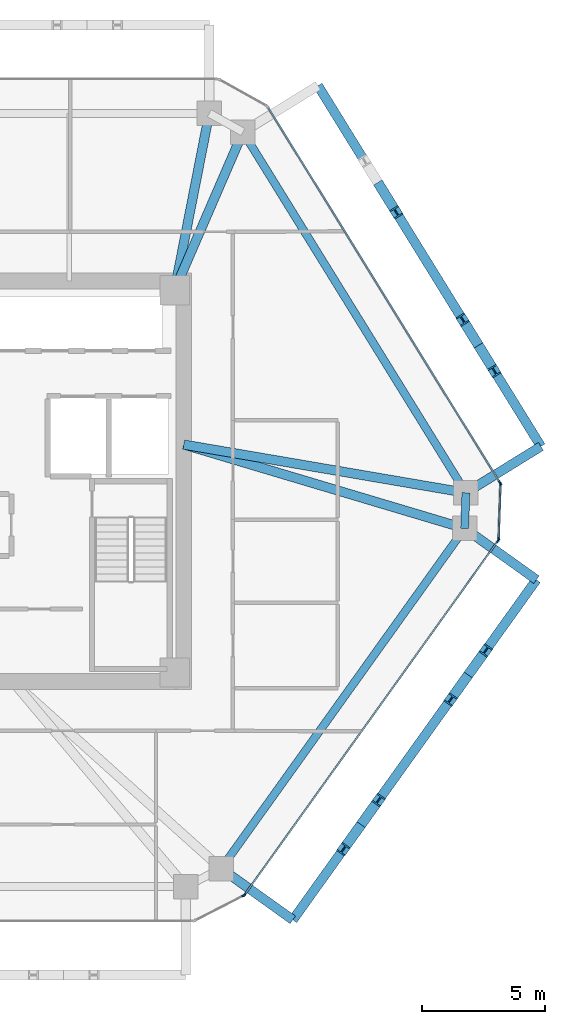
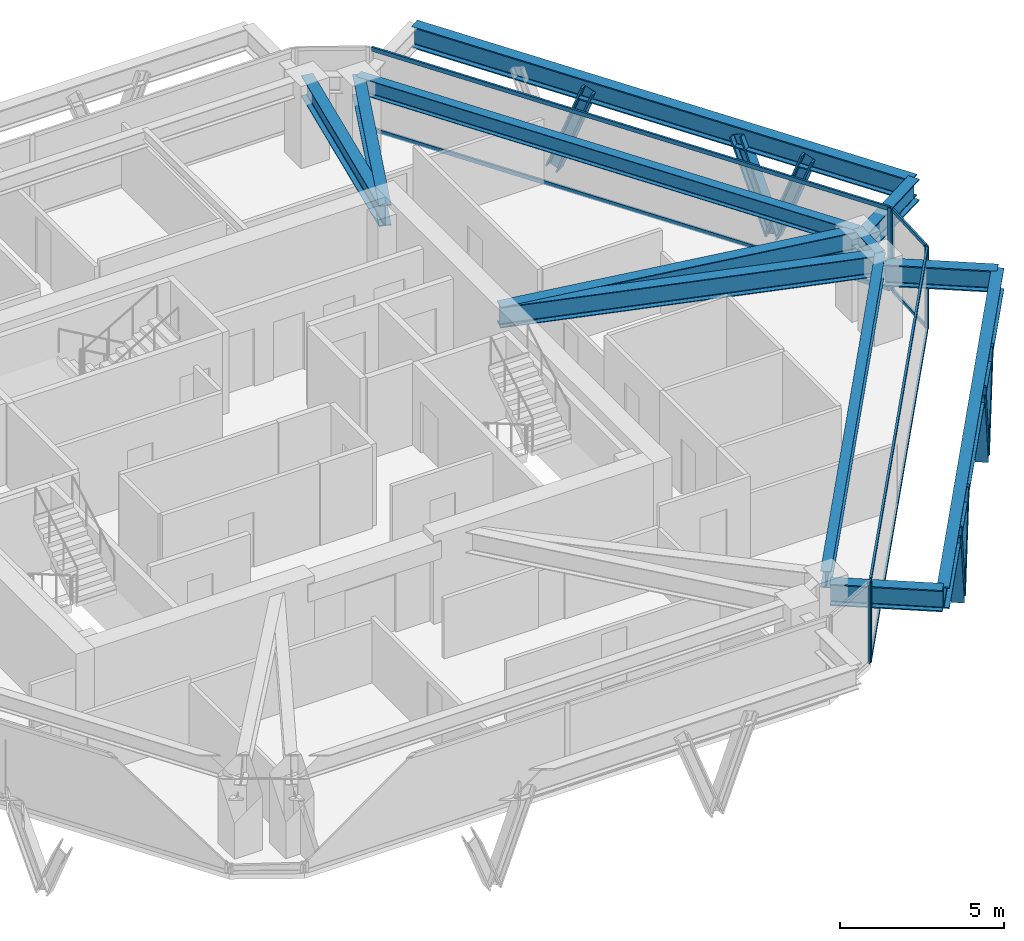
# One storey, part 5 of 11: 19 members, 12 beams, 4 elements without a shape of their own.
"""IFC4 building model written with IfcOpenShell, lengths in metres."""

import ifcopenshell
import ifcopenshell.guid

model = None  # the IFC model being written
_history = None  # IfcOwnerHistory: only IFC2X3 demands one
_inside = {}  # id of a spatial element -> (the spatial element, [elements in it])
_under = {}  # id of a project, library or spatial element -> (it, [spatial elements below it])
_declared = {}  # id of a project -> (the project, [libraries it declares])
_typed = {}  # id of a type object -> (the type object, [elements of that type])
_made_of = {}  # id of a material, layer set ... -> (it, [elements and type objects made of it])


def new_model(schema):
    """Start an empty IFC model of exactly this schema.

    Asked for "IFC4X3", IfcOpenShell would pick the latest addendum, in which some entities
    have other attributes; the version numbers below select the first issue.
    IFC2X3 requires an IfcOwnerHistory on every rooted entity: one is made here for all.
    """
    global model, _history
    if schema == "IFC4X3":
        model = ifcopenshell.file(schema_version=(4, 3, 0, 0))
    else:
        model = ifcopenshell.file(schema=schema)
    _inside.clear()
    _under.clear()
    _declared.clear()
    _typed.clear()
    _made_of.clear()
    _history = None
    if model.schema == "IFC2X3":
        org = make("IfcOrganization", Name="unknown")
        user = make(
            "IfcPersonAndOrganization",
            ThePerson=make("IfcPerson", FamilyName="unknown"),
            TheOrganization=org,
        )
        app = make(
            "IfcApplication",
            ApplicationDeveloper=org,
            Version="unknown",
            ApplicationFullName="unknown",
            ApplicationIdentifier="unknown",
        )
        _history = make(
            "IfcOwnerHistory",
            OwningUser=user,
            OwningApplication=app,
            ChangeAction="ADDED",
            CreationDate=0,
        )
    return model


def make(cls, **values):
    """One entity of the class cls with the attributes given. An attribute that is None is left unset."""
    return model.create_entity(
        cls, **{name: value for name, value in values.items() if value is not None}
    )


def rooted(cls, **values):
    """An entity with a GlobalId (a new one), such as an element, a storey or a relation."""
    return make(cls, GlobalId=ifcopenshell.guid.new(), OwnerHistory=_history, **values)


def si_unit(unit_type, name, prefix=None):
    """IfcSIUnit, for example si_unit("LENGTHUNIT", "METRE", prefix="MILLI")."""
    return make("IfcSIUnit", UnitType=unit_type, Prefix=prefix, Name=name)


def assignment(units):
    """IfcUnitAssignment: the units of a project."""
    return None if units is None else make("IfcUnitAssignment", Units=units)


def point(xyz):
    """IfcCartesianPoint."""
    return None if xyz is None else make("IfcCartesianPoint", Coordinates=xyz)


def direction(xyz):
    """IfcDirection."""
    return None if xyz is None else make("IfcDirection", DirectionRatios=xyz)


def frame(location, z_axis=None, x_axis=None):
    """IfcAxis2Placement3D, a coordinate frame: its origin and axes. An axis left out is left unset."""
    return make(
        "IfcAxis2Placement3D",
        Location=point(location),
        Axis=direction(z_axis),
        RefDirection=direction(x_axis),
    )


def frame_2d(location, x_axis=None):
    """IfcAxis2Placement2D, a coordinate frame in the plane: its origin and x axis."""
    return make(
        "IfcAxis2Placement2D", Location=point(location), RefDirection=direction(x_axis)
    )


def origin():
    """The frame at (0, 0, 0) with its axes left unset."""
    return frame((0.0, 0.0, 0.0))


def origin_2d():
    """The frame at (0, 0) in the plane with its x axis left unset."""
    return frame_2d((0.0, 0.0))


def place(relative_to, where):
    """IfcLocalPlacement: puts the frame where relative to a parent placement (None: the world)."""
    return make(
        "IfcLocalPlacement", PlacementRelTo=relative_to, RelativePlacement=where
    )


def context(
    kind, dimensions, precision=None, world=None, true_north=None, identifier=None
):
    """IfcGeometricRepresentationContext, for example the 3D "Model" context."""
    return make(
        "IfcGeometricRepresentationContext",
        ContextIdentifier=identifier,
        ContextType=kind,
        CoordinateSpaceDimension=dimensions,
        Precision=precision,
        WorldCoordinateSystem=world,
        TrueNorth=true_north,
    )


def subcontext(parent, identifier, kind, view, scale=None):
    """IfcGeometricRepresentationSubContext, for example "Body" below "Model"."""
    return make(
        "IfcGeometricRepresentationSubContext",
        ContextIdentifier=identifier,
        ContextType=kind,
        ParentContext=parent,
        TargetScale=scale,
        TargetView=view,
    )


def project(units=None, contexts=None):
    """IfcProject with its units and contexts."""
    return rooted(
        "IfcProject",
        Name="project",
        RepresentationContexts=contexts,
        UnitsInContext=assignment(units),
    )


def spatial(cls, under=None, at=None, **own):
    """A site, building, storey or space (cls), placed at a placement, below another one or the project."""
    s = rooted(cls, ObjectPlacement=at, **own)
    if under is not None:
        _under.setdefault(under.id(), (under, []))[1].append(s)
    return s


def profile(cls, at=None, kind="AREA", **sizes):
    """A parametric profile (cls). Its sizes go by their IFC names, for example OverallWidth=200.0."""
    return make(cls, ProfileType=kind, Position=at, **sizes)


def rectangle(**sizes):
    """IfcRectangleProfileDef."""
    return profile("IfcRectangleProfileDef", **sizes)


def i_section(**sizes):
    """IfcIShapeProfileDef."""
    return profile("IfcIShapeProfileDef", **sizes)


def extrude(swept, where, along, depth):
    """IfcExtrudedAreaSolid: the profile swept, set in the frame where, extruded along a direction by depth."""
    return make(
        "IfcExtrudedAreaSolid",
        SweptArea=swept,
        Position=where,
        ExtrudedDirection=direction(along),
        Depth=depth,
    )


def shape(context_of_items, identifier, shape_type, items):
    """IfcShapeRepresentation: the items that make up one representation, for example the "Body"."""
    return make(
        "IfcShapeRepresentation",
        ContextOfItems=context_of_items,
        RepresentationIdentifier=identifier,
        RepresentationType=shape_type,
        Items=items,
    )


def source(mapping_origin, context_of_items, identifier, shape_type, items):
    """IfcRepresentationMap: a shape defined once, which mapped items show again and again."""
    return make(
        "IfcRepresentationMap",
        MappingOrigin=mapping_origin,
        MappedRepresentation=shape(context_of_items, identifier, shape_type, items),
    )


def transform(
    local_origin,
    x_axis=None,
    y_axis=None,
    z_axis=None,
    scale=None,
    scale2=None,
    scale3=None,
    uniform=True,
):
    """IfcCartesianTransformationOperator3D, or its non-uniform kind. x_axis, y_axis, z_axis: its Axis1, 2, 3."""
    if uniform:
        return make(
            "IfcCartesianTransformationOperator3D",
            Axis1=direction(x_axis),
            Axis2=direction(y_axis),
            LocalOrigin=point(local_origin),
            Scale=scale,
            Axis3=direction(z_axis),
        )
    return make(
        "IfcCartesianTransformationOperator3DnonUniform",
        Axis1=direction(x_axis),
        Axis2=direction(y_axis),
        LocalOrigin=point(local_origin),
        Scale=scale,
        Axis3=direction(z_axis),
        Scale2=scale2,
        Scale3=scale3,
    )


def mapped(mapping_source, mapping_target):
    """IfcMappedItem: shows the shape of a source again, moved by a transform."""
    return make(
        "IfcMappedItem", MappingSource=mapping_source, MappingTarget=mapping_target
    )


def material(Name=None, Category=None):
    """IfcMaterial."""
    return make("IfcMaterial", Name=Name, Category=Category)


def layer(
    of_material, thickness, ventilated=None, Name=None, Category=None, Priority=None
):
    """IfcMaterialLayer: one layer of a wall or slab, of a material (None: an air gap)."""
    return make(
        "IfcMaterialLayer",
        Material=of_material,
        LayerThickness=thickness,
        IsVentilated=ventilated,
        Name=Name,
        Category=Category,
        Priority=Priority,
    )


def layer_set(layers, Name=None):
    """IfcMaterialLayerSet."""
    return make("IfcMaterialLayerSet", MaterialLayers=layers, LayerSetName=Name)


def material_profile(
    of_material, cross_section, Name=None, Category=None, Priority=None
):
    """IfcMaterialProfile: a cross section and its material."""
    return make(
        "IfcMaterialProfile",
        Name=Name,
        Material=of_material,
        Profile=cross_section,
        Priority=Priority,
        Category=Category,
    )


def profile_set(profiles, Name=None, composite=None):
    """IfcMaterialProfileSet."""
    return make(
        "IfcMaterialProfileSet",
        Name=Name,
        MaterialProfiles=profiles,
        CompositeProfile=composite,
    )


def made_of(thing, what):
    """Note that an element or type object is made of a material, layer set ...; save() writes the relation."""
    if what is not None:
        _made_of.setdefault(what.id(), (what, []))[1].append(thing)
    return thing


def type_object(cls, material=None, **own):
    """A type object (cls), such as IfcWallType, which elements share."""
    return made_of(rooted(cls, **own), material)


def type_shapes(of_type, sources):
    """Give a type object the sources (RepresentationMaps) that its elements show as mapped items."""
    of_type.RepresentationMaps = sources


def element(
    cls,
    number,
    at=None,
    inside=None,
    cuts=None,
    type_object=None,
    material=None,
    context=None,
    identifier="Body",
    shape_type=None,
    held_by="IfcProductDefinitionShape",
    body=None,
    shapes=None,
    **own,
):
    """One element of the class cls, such as IfcWall. Its Tag is "e" and its number.

    at: its placement. inside: the storey or other place that contains it. cuts: it is an
    opening in that element (IfcRelVoidsElement). A single representation is given by context,
    identifier, shape_type and body (its items); several are given by shapes. held_by: the class
    of the entity that holds the representations. save() writes the other relations.
    """
    e = rooted(cls, Tag="e%d" % number, ObjectPlacement=at, **own)
    if body is not None:
        shapes = [shape(context, identifier, shape_type, body)]
    if shapes is not None:
        e.Representation = make(held_by, Representations=shapes)
    if inside is not None:
        _inside.setdefault(inside.id(), (inside, []))[1].append(e)
    if cuts is not None:
        rooted(
            "IfcRelVoidsElement", RelatingBuildingElement=cuts, RelatedOpeningElement=e
        )
    if type_object is not None:
        _typed.setdefault(type_object.id(), (type_object, []))[1].append(e)
    return made_of(e, material)


def aggregate(whole, parts):
    """IfcRelAggregates: a whole, such as a stair, and the parts it consists of."""
    return rooted("IfcRelAggregates", RelatingObject=whole, RelatedObjects=parts)


def save(model, path):
    """Write the relations noted so far, then the file.

    IfcRelAggregates (storeys below a building ...), IfcRelContainedInSpatialStructure (elements
    in a storey), IfcRelDefinesByType, IfcRelAssociatesMaterial and IfcRelDeclares: one each for
    every whole, place, type object, material and project.
    """
    for whole, parts in _under.values():
        aggregate(whole, parts)
    for where, things in _inside.values():
        rooted(
            "IfcRelContainedInSpatialStructure",
            RelatedElements=things,
            RelatingStructure=where,
        )
    for kind, things in _typed.values():
        rooted("IfcRelDefinesByType", RelatedObjects=things, RelatingType=kind)
    for what, things in _made_of.values():
        rooted("IfcRelAssociatesMaterial", RelatedObjects=things, RelatingMaterial=what)
    for by, libraries in _declared.values():
        rooted("IfcRelDeclares", RelatingContext=by, RelatedDefinitions=libraries)
    model.write(path)


model = new_model("IFC4")

# Units and contexts
model_context = context("Model", 3, precision=1e-05, world=origin(), true_north=direction((0.0, 1.0)))
body_context = subcontext(model_context, "Body", "Model", "MODEL_VIEW")
ifc_project = project(units=[si_unit("LENGTHUNIT", "METRE"), si_unit("AREAUNIT", "SQUARE_METRE"), si_unit("VOLUMEUNIT", "CUBIC_METRE"), si_unit("PLANEANGLEUNIT", "RADIAN"), si_unit("MASSUNIT", "GRAM", prefix="KILO")], contexts=[model_context])

# Site, building, storey
site_placement = place(None, origin())
site = spatial("IfcSite", under=ifc_project, at=site_placement, CompositionType="ELEMENT")
building_placement = place(site_placement, origin())
building = spatial("IfcBuilding", under=site, at=building_placement, Name="Durnholm Broadcast Tower", CompositionType="ELEMENT")
storey_placement = place(building_placement, frame((0.0, 0.0, 196.89990234375)))
storey = spatial("IfcBuildingStorey", under=building, at=storey_placement, Name="L54", CompositionType="ELEMENT", Elevation=196.89990234375)

# Beams
ifc_material_1 = material(Name="Steel ASTM A992 Grade 50", Category="steel")
ifc_material_profile_1 = material_profile(ifc_material_1, i_section(OverallWidth=0.385009765625, OverallDepth=0.802978515625, WebThickness=0.023681640625, FlangeThickness=0.0419921875, FilletRadius=0.032958984375, at=origin_2d()), Name="W30X261")
ifc_profile_set_1 = profile_set([ifc_material_profile_1], Name="Steel ASTM A992 Grade 50")
beam_type_1 = type_object("IfcBeamType", Name="BM-EXO-TIE", PredefinedType="USERDEFINED", material=ifc_profile_set_1)
shared_shape_1 = source(origin(), body_context, "Body", "SweptSolid", [
    extrude(i_section(OverallWidth=0.385009765625, OverallDepth=0.802978515625, WebThickness=0.023681640625, FlangeThickness=0.0419921875, FilletRadius=0.032958984375, at=origin_2d()), origin(), (0.0, 0.0, 1.0), 3.4560546875),
])
for number, where, z_axis, x_axis, name in (
    (1, (11.81689453125, -15.884033203125, 2.30859375), (0.813079048773, -0.582153296346, 0.0), (0.582153296346, 0.813079048773, 0.0), "L54 exoskeleton stand-off tie bracket F2.1"),
    (2, (21.7548828125, -2.00341796875, 2.30859375), (0.813079048773, -0.582153296346, 0.0), (0.582153296346, 0.813079048773, 0.0), "L54 exoskeleton stand-off tie bracket F2.2"),
    (3, (21.8095703125, -0.3916015625, 2.30859375), (0.850662348375, 0.525712439512, 0.0), (-0.525712439512, 0.850662348375, 0.0), "L54 exoskeleton stand-off tie bracket F3.1"),
):
    element("IfcBeam", number, at=place(storey_placement, frame(where, z_axis=z_axis, x_axis=x_axis)), inside=storey, type_object=beam_type_1, Name=name, ObjectType="GIRDER", PredefinedType="USERDEFINED", context=body_context, shape_type="MappedRepresentation", body=[
        mapped(shared_shape_1, transform((0.0, 0.0, 0.0), x_axis=(1.0, 0.0, 0.0), y_axis=(0.0, 1.0, 0.0), z_axis=(0.0, 0.0, 1.0), scale=1.0)),
    ])
ifc_material_profile_2 = material_profile(ifc_material_1, i_section(OverallWidth=0.3251953125, OverallDepth=0.6162109375, WebThickness=0.013916015625, FlangeThickness=0.021484375, FilletRadius=0.02783203125, at=origin_2d()), Name="W24X117")
ifc_profile_set_2 = profile_set([ifc_material_profile_2], Name="Steel ASTM A992 Grade 50")
beam_type_2 = type_object("IfcBeamType", Name="STL-SP-W24X117", PredefinedType="SPANDREL", material=ifc_profile_set_2)
shared_shape_2 = source(origin(), body_context, "Body", "SweptSolid", [
    extrude(i_section(OverallWidth=0.3251953125, OverallDepth=0.6162109375, WebThickness=0.013916015625, FlangeThickness=0.021484375, FilletRadius=0.02783203125, at=origin_2d()), origin(), (0.0, 0.0, 1.0), 17.30322265625),
])
beam_1_placement = place(storey_placement, frame((12.5908203125, 14.252197265625, 2.737060546875), z_axis=(0.525691424148, -0.850675335588, 0.0), x_axis=(0.850675335588, 0.525691424148, 0.0)))
element("IfcBeam", 4, at=beam_1_placement, inside=storey, type_object=beam_type_2, Name="L54 perimeter spandrel girder 07", PredefinedType="SPANDREL", context=body_context, shape_type="MappedRepresentation", body=[
    mapped(shared_shape_2, transform((0.0, 0.0, 0.0), x_axis=(1.0, 0.0, 0.0), y_axis=(0.0, 1.0, 0.0), z_axis=(0.0, 0.0, 1.0), scale=1.0)),
])
shared_shape_3 = source(origin(), body_context, "Body", "SweptSolid", [
    extrude(i_section(OverallWidth=0.3251953125, OverallDepth=0.6162109375, WebThickness=0.013916015625, FlangeThickness=0.021484375, FilletRadius=0.02783203125, at=origin_2d()), origin(), (0.0, 0.0, 1.0), 1.453125),
])
beam_2_placement = place(storey_placement, frame((21.68701171875, -0.46728515625, 2.737060546875), z_axis=(-0.033767922326, -0.99942970109, 0.0), x_axis=(0.99942970109, -0.033767922326, 0.0)))
element("IfcBeam", 5, at=beam_2_placement, inside=storey, type_object=beam_type_2, Name="L54 perimeter spandrel girder 08", PredefinedType="SPANDREL", context=body_context, shape_type="MappedRepresentation", body=[
    mapped(shared_shape_3, transform((0.0, 0.0, 0.0), x_axis=(1.0, 0.0, 0.0), y_axis=(0.0, 1.0, 0.0), z_axis=(0.0, 0.0, 1.0), scale=1.0)),
])
shared_shape_4 = source(origin(), body_context, "Body", "SweptSolid", [
    extrude(i_section(OverallWidth=0.3251953125, OverallDepth=0.6162109375, WebThickness=0.013916015625, FlangeThickness=0.021484375, FilletRadius=0.02783203125, at=origin_2d()), origin(), (0.0, 0.0, 1.0), 17.071533203125),
])
type_shapes(beam_type_2, [shared_shape_2, shared_shape_3, shared_shape_4])
beam_3_placement = place(storey_placement, frame((21.637939453125, -1.919677734375, 2.737060546875), z_axis=(-0.582149612352, -0.813081686449, 0.0), x_axis=(0.813081686449, -0.582149612352, 0.0)))
element("IfcBeam", 6, at=beam_3_placement, inside=storey, type_object=beam_type_2, Name="L54 perimeter spandrel girder 09", PredefinedType="SPANDREL", context=body_context, shape_type="MappedRepresentation", body=[
    mapped(shared_shape_4, transform((0.0, 0.0, 0.0), x_axis=(1.0, 0.0, 0.0), y_axis=(0.0, 1.0, 0.0), z_axis=(0.0, 0.0, 1.0), scale=1.0)),
])
ifc_material_profile_3 = material_profile(ifc_material_1, i_section(OverallWidth=0.380615234375, OverallDepth=0.773193359375, WebThickness=0.0166015625, FlangeThickness=0.027099609375, FilletRadius=0.032958984375, at=origin_2d()), Name="W30X173")
ifc_profile_set_3 = profile_set([ifc_material_profile_3], Name="Steel ASTM A992 Grade 50")
beam_type_3 = type_object("IfcBeamType", Name="STL-GR-W30X173", PredefinedType="USERDEFINED", material=ifc_profile_set_3)
shared_shape_5 = source(origin(), body_context, "Body", "SweptSolid", [
    extrude(i_section(OverallWidth=0.380615234375, OverallDepth=0.773193359375, WebThickness=0.0166015625, FlangeThickness=0.027099609375, FilletRadius=0.032958984375, at=origin_2d()), origin(), (0.0, 0.0, 1.0), 7.35595703125),
])
beam_4_placement = place(storey_placement, frame((9.800048828125, 7.800048828125, 2.658447265625), z_axis=(0.192700221893, 0.981257674865, 0.0), x_axis=(-0.981257674865, 0.192700221893, 0.0)))
element("IfcBeam", 7, at=beam_4_placement, inside=storey, type_object=beam_type_3, Name="L54 radial primary floor girder 06", ObjectType="GIRDER", PredefinedType="USERDEFINED", context=body_context, shape_type="MappedRepresentation", body=[
    mapped(shared_shape_5, transform((0.0, 0.0, 0.0), x_axis=(1.0, 0.0, 0.0), y_axis=(0.0, 1.0, 0.0), z_axis=(0.0, 0.0, 1.0), scale=1.0)),
])
shared_shape_6 = source(origin(), body_context, "Body", "SweptSolid", [
    extrude(i_section(OverallWidth=0.380615234375, OverallDepth=0.773193359375, WebThickness=0.0166015625, FlangeThickness=0.027099609375, FilletRadius=0.032958984375, at=origin_2d()), origin(), (0.0, 0.0, 1.0), 7.02978515625),
])
beam_5_placement = place(storey_placement, frame((9.800048828125, 7.800048828125, 2.658447265625), z_axis=(0.396989434191, 0.91782317967, 0.0), x_axis=(-0.91782317967, 0.396989434191, 0.0)))
element("IfcBeam", 8, at=beam_5_placement, inside=storey, type_object=beam_type_3, Name="L54 radial primary floor girder 07", ObjectType="GIRDER", PredefinedType="USERDEFINED", context=body_context, shape_type="MappedRepresentation", body=[
    mapped(shared_shape_6, transform((0.0, 0.0, 0.0), x_axis=(1.0, 0.0, 0.0), y_axis=(0.0, 1.0, 0.0), z_axis=(0.0, 0.0, 1.0), scale=1.0)),
])
shared_shape_7 = source(origin(), body_context, "Body", "SweptSolid", [
    extrude(i_section(OverallWidth=0.385009765625, OverallDepth=0.802978515625, WebThickness=0.023681640625, FlangeThickness=0.0419921875, FilletRadius=0.032958984375, at=origin_2d()), origin(), (0.0, 0.0, 1.0), 17.071533203125),
])
beam_6_placement = place(storey_placement, frame((14.626953125, -17.89599609375, 2.30859375), z_axis=(0.582140157836, 0.813088455603, 0.0), x_axis=(-0.813088455603, 0.582140157836, 0.0)))
element("IfcBeam", 9, at=beam_6_placement, inside=storey, type_object=beam_type_1, Name="L54 exoskeleton collector spandrel F2", PredefinedType="SPANDREL", context=body_context, shape_type="MappedRepresentation", body=[
    mapped(shared_shape_7, transform((0.0, 0.0, 0.0), x_axis=(1.0, 0.0, 0.0), y_axis=(0.0, 1.0, 0.0), z_axis=(0.0, 0.0, 1.0), scale=1.0)),
])
shared_shape_8 = source(origin(), body_context, "Body", "SweptSolid", [
    extrude(i_section(OverallWidth=0.385009765625, OverallDepth=0.802978515625, WebThickness=0.023681640625, FlangeThickness=0.0419921875, FilletRadius=0.032958984375, at=origin_2d()), origin(), (0.0, 0.0, 1.0), 17.303466796875),
])
type_shapes(beam_type_1, [shared_shape_1, shared_shape_7, shared_shape_8])
beam_7_placement = place(storey_placement, frame((24.74951171875, 1.42529296875, 2.30859375), z_axis=(-0.525701634347, 0.850669025911, 0.0), x_axis=(-0.850669025911, -0.525701634347, 0.0)))
element("IfcBeam", 10, at=beam_7_placement, inside=storey, type_object=beam_type_1, Name="L54 exoskeleton collector spandrel F3", PredefinedType="SPANDREL", context=body_context, shape_type="MappedRepresentation", body=[
    mapped(shared_shape_8, transform((0.0, 0.0, 0.0), x_axis=(1.0, 0.0, 0.0), y_axis=(0.0, 1.0, 0.0), z_axis=(0.0, 0.0, 1.0), scale=1.0)),
])
shared_shape_9 = source(origin(), body_context, "Body", "SweptSolid", [
    extrude(i_section(OverallWidth=0.380615234375, OverallDepth=0.773193359375, WebThickness=0.0166015625, FlangeThickness=0.027099609375, FilletRadius=0.032958984375, at=origin_2d()), origin(), (0.0, 0.0, 1.0), 11.678955078125),
])
beam_8_placement = place(storey_placement, frame((10.175048828125, 1.5, 2.658447265625), z_axis=(0.985710446264, -0.168448556317, 0.0), x_axis=(0.168448556317, 0.985710446264, 0.0)))
element("IfcBeam", 11, at=beam_8_placement, inside=storey, type_object=beam_type_3, Name="L54 radial primary floor girder 08", ObjectType="GIRDER", PredefinedType="USERDEFINED", context=body_context, shape_type="MappedRepresentation", body=[
    mapped(shared_shape_9, transform((0.0, 0.0, 0.0), x_axis=(1.0, 0.0, 0.0), y_axis=(0.0, 1.0, 0.0), z_axis=(0.0, 0.0, 1.0), scale=1.0)),
])
shared_shape_10 = source(origin(), body_context, "Body", "SweptSolid", [
    extrude(i_section(OverallWidth=0.380615234375, OverallDepth=0.773193359375, WebThickness=0.0166015625, FlangeThickness=0.027099609375, FilletRadius=0.032958984375, at=origin_2d()), origin(), (0.0, 0.0, 1.0), 11.962158203125),
])
type_shapes(beam_type_3, [shared_shape_5, shared_shape_6, shared_shape_9, shared_shape_10])
beam_9_placement = place(storey_placement, frame((10.175048828125, 1.5, 2.658447265625), z_axis=(0.958266673737, -0.285875815706, 0.0), x_axis=(0.285875815706, 0.958266673737, 0.0)))
element("IfcBeam", 12, at=beam_9_placement, inside=storey, type_object=beam_type_3, Name="L54 radial primary floor girder 09", ObjectType="GIRDER", PredefinedType="USERDEFINED", context=body_context, shape_type="MappedRepresentation", body=[
    mapped(shared_shape_10, transform((0.0, 0.0, 0.0), x_axis=(1.0, 0.0, 0.0), y_axis=(0.0, 1.0, 0.0), z_axis=(0.0, 0.0, 1.0), scale=1.0)),
])

# Members
ifc_material_2 = material(Name="Steel ASTM A913 Grade 65", Category="steel")
ifc_material_profile_4 = material_profile(ifc_material_2, i_section(OverallWidth=0.412109375, OverallDepth=0.434814453125, WebThickness=0.035888671875, FlangeThickness=0.057373046875, FilletRadius=0.030517578125, at=origin_2d()), Name="W14X311")
ifc_profile_set_4 = profile_set([ifc_material_profile_4], Name="Steel ASTM A913 Grade 65")
member_type_1 = type_object("IfcMemberType", Name="STL-DG-W14X311", PredefinedType="BRACE", material=ifc_profile_set_4)
shared_shape_11 = source(origin(), body_context, "Body", "SweptSolid", [
    extrude(i_section(OverallWidth=0.412109375, OverallDepth=0.434814453125, WebThickness=0.035888671875, FlangeThickness=0.057373046875, FilletRadius=0.030517578125, at=origin_2d()), origin(), (0.0, 0.0, 1.0), 3.523193359375),
])
for number, where, z_axis, x_axis, name in (
    (13, (17.40966796875, -14.009521484375, -0.991455078125), (-0.203869234398, -0.284737826017, 0.936675880815), (0.813077820009, -0.582155012526, 0.0), "L54 stand-off diagrid brace F2.D1.1"),
    (14, (17.40966796875, -14.009521484375, -0.991455078125), (0.203869234398, 0.284737826017, 0.936675880815), (-0.813077820009, 0.582155012526, 0.0), "L54 stand-off diagrid brace F2.D1.2"),
    (15, (21.782470703125, -7.90185546875, -0.991455078125), (-0.203869234398, -0.284737826017, 0.936675880815), (0.813077820009, -0.582155012526, 0.0), "L54 stand-off diagrid brace F2.D2.1"),
    (16, (21.782470703125, -7.90185546875, -0.991455078125), (0.203802816986, 0.284741848009, 0.936689111595), (-0.813171482985, 0.58202417412, 0.0), "L54 stand-off diagrid brace F2.D2.2"),
    (17, (22.202392578125, 5.546875, -0.991455078125), (0.18411903749, -0.297902800967, 0.936671821509), (0.850644447398, 0.525741404219, 0.0), "L54 stand-off diagrid brace F3.D1.1"),
):
    element("IfcMember", number, at=place(storey_placement, frame(where, z_axis=z_axis, x_axis=x_axis)), inside=storey, type_object=member_type_1, Name=name, PredefinedType="BRACE", context=body_context, shape_type="MappedRepresentation", body=[
        mapped(shared_shape_11, transform((0.0, 0.0, 0.0), x_axis=(1.0, 0.0, 0.0), y_axis=(0.0, 1.0, 0.0), z_axis=(0.0, 0.0, 1.0), scale=1.0)),
    ])
shared_shape_12 = source(origin(), body_context, "Body", "SweptSolid", [
    extrude(i_section(OverallWidth=0.412109375, OverallDepth=0.434814453125, WebThickness=0.035888671875, FlangeThickness=0.057373046875, FilletRadius=0.030517578125, at=origin_2d()), origin(), (0.0, 0.0, 1.0), 3.52294921875),
])
type_shapes(member_type_1, [shared_shape_11, shared_shape_12])
for number, where, z_axis, x_axis, name in (
    (18, (22.202392578125, 5.546875, -0.991455078125), (-0.184055888727, 0.297843452465, 0.936703105391), (-0.85067825406, -0.525686701439, 0.0), "L54 stand-off diagrid brace F3.D1.2"),
    (19, (18.2001953125, 12.023193359375, -0.991455078125), (0.184055888727, -0.297843452465, 0.936703105391), (0.85067825406, 0.525686701439, 0.0), "L54 stand-off diagrid brace F3.D2.1"),
):
    element("IfcMember", number, at=place(storey_placement, frame(where, z_axis=z_axis, x_axis=x_axis)), inside=storey, type_object=member_type_1, Name=name, PredefinedType="BRACE", context=body_context, shape_type="MappedRepresentation", body=[
        mapped(shared_shape_12, transform((0.0, 0.0, 0.0), x_axis=(1.0, 0.0, 0.0), y_axis=(0.0, 1.0, 0.0), z_axis=(0.0, 0.0, 1.0), scale=1.0)),
    ])

# Curtain wall, members
ifc_material_3 = material(Name="Aluminium and Solar Control IGU", Category="aluminium")
ifc_layer_1 = layer(ifc_material_3, 0.1650390625)
ifc_layer_set_1 = layer_set([ifc_layer_1], Name="Aluminium and Solar Control IGU")
curtain_wall_type_1 = type_object("IfcCurtainWallType", Name="CW-SYS-5", PredefinedType="NOTDEFINED", material=ifc_layer_set_1)
curtain_wall_1_placement = place(storey_placement, origin())
curtain_wall_1 = element("IfcCurtainWall", 20, at=curtain_wall_1_placement, inside=storey, type_object=curtain_wall_type_1, Name="L54 curtain wall CW-CORNER CW-L54-CRN-07", PredefinedType="NOTDEFINED")
ifc_material_4 = material(Name="Aluminium 6063-T6", Category="aluminium")
ifc_material_profile_5 = material_profile(ifc_material_4, rectangle(XDim=0.06494140625, YDim=0.1650390625, at=origin_2d()), Name="CWM65X165")
ifc_profile_set_5 = profile_set([ifc_material_profile_5], Name="Aluminium 6063-T6")
member_type_2 = type_object("IfcMemberType", Name="CW-SYS-5-MUL", PredefinedType="MULLION", material=ifc_profile_set_5)
shared_shape_13 = source(origin(), body_context, "Body", "SweptSolid", [
    extrude(rectangle(XDim=0.06494140625, YDim=0.1650390625, at=origin_2d()), origin(), (0.0, 0.0, 1.0), 3.06005859375),
])
type_shapes(member_type_2, [shared_shape_13])
member_1_placement = place(storey_placement, frame((23.099609375, -0.1240234375, 0.0), z_axis=(0.0, 0.0, 1.0), x_axis=(0.999424798802, -0.033912704699, 0.0)))
member_1 = element("IfcMember", 21, at=member_1_placement, type_object=member_type_2, Name="CW-CORNER mullion 1", PredefinedType="MULLION", context=body_context, shape_type="MappedRepresentation", body=[
    mapped(shared_shape_13, transform((0.0, 0.0, 0.0), x_axis=(1.0, 0.0, 0.0), y_axis=(0.0, 1.0, 0.0), z_axis=(0.0, 0.0, 1.0), scale=1.0)),
])
member_2_placement = place(storey_placement, frame((23.023681640625, -2.35791015625, 0.0), z_axis=(0.0, 0.0, 1.0), x_axis=(0.999424798802, -0.033912704699, 0.0)))
member_2 = element("IfcMember", 22, at=member_2_placement, type_object=member_type_2, Name="CW-CORNER mullion 2", PredefinedType="MULLION", context=body_context, shape_type="MappedRepresentation", body=[
    mapped(shared_shape_13, transform((0.0, 0.0, 0.0), x_axis=(1.0, 0.0, 0.0), y_axis=(0.0, 1.0, 0.0), z_axis=(0.0, 0.0, 1.0), scale=1.0)),
])

# Curtain wall, member
curtain_wall_2_placement = place(storey_placement, origin())
curtain_wall_2 = element("IfcCurtainWall", 23, at=curtain_wall_2_placement, inside=storey, type_object=curtain_wall_type_1, Name="L54 curtain wall CW-CORNER CW-L54-CRN-09", PredefinedType="NOTDEFINED")
member_3_placement = place(storey_placement, frame((12.612060546875, -16.905517578125, 0.0), z_axis=(0.0, 0.0, 1.0), x_axis=(0.457081764476, -0.889424679545, 0.0)))
member_3 = element("IfcMember", 24, at=member_3_placement, type_object=member_type_2, Name="CW-CORNER mullion 1", PredefinedType="MULLION", context=body_context, shape_type="MappedRepresentation", body=[
    mapped(shared_shape_13, transform((0.0, 0.0, 0.0), x_axis=(1.0, 0.0, 0.0), y_axis=(0.0, 1.0, 0.0), z_axis=(0.0, 0.0, 1.0), scale=1.0)),
])
aggregate(curtain_wall_2, [member_3])

# Member
ifc_material_profile_6 = material_profile(ifc_material_4, rectangle(XDim=0.06494140625, YDim=0.1298828125, at=origin_2d()), Name="CWT65X130")
ifc_profile_set_6 = profile_set([ifc_material_profile_6], Name="Aluminium 6063-T6")
member_type_3 = type_object("IfcMemberType", Name="CW-SYS-5-TRN", PredefinedType="USERDEFINED", material=ifc_profile_set_6)
shared_shape_14 = source(origin(), body_context, "Body", "SweptSolid", [
    extrude(rectangle(XDim=0.06494140625, YDim=0.1298828125, at=origin_2d()), origin(), (0.0, 0.0, 1.0), 2.170166015625),
])
type_shapes(member_type_3, [shared_shape_14])
member_4_placement = place(storey_placement, frame((23.098388671875, -0.156494140625, 0.03271484375), z_axis=(-0.033861704743, -0.999426528041, 0.0), x_axis=(0.999426528041, -0.033861704743, 0.0)))
member_4 = element("IfcMember", 25, at=member_4_placement, type_object=member_type_3, Name="CW-CORNER transom 1.1", ObjectType="TRANSOM", PredefinedType="USERDEFINED", context=body_context, shape_type="MappedRepresentation", body=[
    mapped(shared_shape_14, transform((0.0, 0.0, 0.0), x_axis=(1.0, 0.0, 0.0), y_axis=(0.0, 1.0, 0.0), z_axis=(0.0, 0.0, 1.0), scale=1.0)),
])

member_5_placement = place(storey_placement, frame((23.098388671875, -0.156494140625, 3.027587890625), z_axis=(-0.033861704743, -0.999426528041, 0.0), x_axis=(0.999426528041, -0.033861704743, 0.0)))
member_5 = element("IfcMember", 26, at=member_5_placement, type_object=member_type_3, Name="CW-CORNER transom 1.2", ObjectType="TRANSOM", PredefinedType="USERDEFINED", context=body_context, shape_type="MappedRepresentation", body=[
    mapped(shared_shape_14, transform((0.0, 0.0, 0.0), x_axis=(1.0, 0.0, 0.0), y_axis=(0.0, 1.0, 0.0), z_axis=(0.0, 0.0, 1.0), scale=1.0)),
])

aggregate(curtain_wall_1, [member_1, member_2, member_4, member_5])

# Curtain wall, members
ifc_layer_2 = layer(ifc_material_3, 0.18994140625)
ifc_layer_set_2 = layer_set([ifc_layer_2], Name="Aluminium and Solar Control IGU")
curtain_wall_type_2 = type_object("IfcCurtainWallType", Name="CW-SYS-4", PredefinedType="NOTDEFINED", material=ifc_layer_set_2)
curtain_wall_3_placement = place(storey_placement, origin())
curtain_wall_3 = element("IfcCurtainWall", 27, at=curtain_wall_3_placement, inside=storey, type_object=curtain_wall_type_2, Name="L54 curtain wall CW-Z34-VIS CW-L54-F06", PredefinedType="NOTDEFINED")
ifc_material_profile_7 = material_profile(ifc_material_4, rectangle(XDim=0.070068359375, YDim=0.14990234375, at=origin_2d()), Name="CWT70X150")
ifc_profile_set_7 = profile_set([ifc_material_profile_7], Name="Aluminium 6063-T6")
member_type_4 = type_object("IfcMemberType", Name="CW-SYS-4-TRN", PredefinedType="USERDEFINED", material=ifc_profile_set_7)
shared_shape_15 = source(origin(), body_context, "Body", "SweptSolid", [
    extrude(rectangle(XDim=0.070068359375, YDim=0.14990234375, at=origin_2d()), origin(), (0.0, 0.0, 1.0), 17.950927734375),
])
member_6_placement = place(storey_placement, frame((13.627197265625, 15.23828125, 0.03515625), z_axis=(0.525699895853, -0.850670100274, 0.0), x_axis=(0.850670100274, 0.525699895853, 0.0)))
member_6 = element("IfcMember", 28, at=member_6_placement, type_object=member_type_4, Name="CW-Z34-VIS transom 1.1", ObjectType="TRANSOM", PredefinedType="USERDEFINED", context=body_context, shape_type="MappedRepresentation", body=[
    mapped(shared_shape_15, transform((0.0, 0.0, 0.0), x_axis=(1.0, 0.0, 0.0), y_axis=(0.0, 1.0, 0.0), z_axis=(0.0, 0.0, 1.0), scale=1.0)),
])
member_7_placement = place(storey_placement, frame((13.627197265625, 15.23828125, 3.025146484375), z_axis=(0.525699895853, -0.850670100274, 0.0), x_axis=(0.850670100274, 0.525699895853, 0.0)))
member_7 = element("IfcMember", 29, at=member_7_placement, type_object=member_type_4, Name="CW-Z34-VIS transom 1.2", ObjectType="TRANSOM", PredefinedType="USERDEFINED", context=body_context, shape_type="MappedRepresentation", body=[
    mapped(shared_shape_15, transform((0.0, 0.0, 0.0), x_axis=(1.0, 0.0, 0.0), y_axis=(0.0, 1.0, 0.0), z_axis=(0.0, 0.0, 1.0), scale=1.0)),
])

curtain_wall_4_placement = place(storey_placement, origin())
curtain_wall_4 = element("IfcCurtainWall", 30, at=curtain_wall_4_placement, inside=storey, type_object=curtain_wall_type_2, Name="L54 curtain wall CW-Z34-VIS CW-L54-F08", PredefinedType="NOTDEFINED")
shared_shape_16 = source(origin(), body_context, "Body", "SweptSolid", [
    extrude(rectangle(XDim=0.070068359375, YDim=0.14990234375, at=origin_2d()), origin(), (0.0, 0.0, 1.0), 17.693603515625),
])
type_shapes(member_type_4, [shared_shape_15, shared_shape_16])
member_8_placement = place(storey_placement, frame((22.98193359375, -2.447265625, 0.03515625), z_axis=(-0.582144969277, -0.813085010774, 0.0), x_axis=(0.813085010774, -0.582144969277, 0.0)))
member_8 = element("IfcMember", 31, at=member_8_placement, type_object=member_type_4, Name="CW-Z34-VIS transom 1.1", ObjectType="TRANSOM", PredefinedType="USERDEFINED", context=body_context, shape_type="MappedRepresentation", body=[
    mapped(shared_shape_16, transform((0.0, 0.0, 0.0), x_axis=(1.0, 0.0, 0.0), y_axis=(0.0, 1.0, 0.0), z_axis=(0.0, 0.0, 1.0), scale=1.0)),
])
member_9_placement = place(storey_placement, frame((22.98193359375, -2.447265625, 3.025146484375), z_axis=(-0.582144969277, -0.813085010774, 0.0), x_axis=(0.813085010774, -0.582144969277, 0.0)))
member_9 = element("IfcMember", 32, at=member_9_placement, type_object=member_type_4, Name="CW-Z34-VIS transom 1.2", ObjectType="TRANSOM", PredefinedType="USERDEFINED", context=body_context, shape_type="MappedRepresentation", body=[
    mapped(shared_shape_16, transform((0.0, 0.0, 0.0), x_axis=(1.0, 0.0, 0.0), y_axis=(0.0, 1.0, 0.0), z_axis=(0.0, 0.0, 1.0), scale=1.0)),
])

# Member
ifc_material_profile_8 = material_profile(ifc_material_4, rectangle(XDim=0.070068359375, YDim=0.18994140625, at=origin_2d()), Name="CWM70X190")
ifc_profile_set_8 = profile_set([ifc_material_profile_8], Name="Aluminium 6063-T6")
member_type_5 = type_object("IfcMemberType", Name="CW-SYS-4-MUL", PredefinedType="MULLION", material=ifc_profile_set_8)
shared_shape_17 = source(origin(), body_context, "Body", "SweptSolid", [
    extrude(rectangle(XDim=0.070068359375, YDim=0.18994140625, at=origin_2d()), origin(), (0.0, 0.0, 1.0), 3.06005859375),
])
type_shapes(member_type_5, [shared_shape_17])
member_10_placement = place(storey_placement, frame((23.082275390625, -0.061767578125, 0.0), z_axis=(0.0, 0.0, 1.0), x_axis=(0.850671426092, 0.525697750452, 0.0)))
member_10 = element("IfcMember", 33, at=member_10_placement, type_object=member_type_5, Name="CW-Z34-VIS mullion 2", PredefinedType="MULLION", context=body_context, shape_type="MappedRepresentation", body=[
    mapped(shared_shape_17, transform((0.0, 0.0, 0.0), x_axis=(1.0, 0.0, 0.0), y_axis=(0.0, 1.0, 0.0), z_axis=(0.0, 0.0, 1.0), scale=1.0)),
])

aggregate(curtain_wall_3, [member_10, member_6, member_7])

member_11_placement = place(storey_placement, frame((23.00244140625, -2.418701171875, 0.0), z_axis=(0.0, 0.0, 1.0), x_axis=(0.813089262696, -0.582139030549, 0.0)))
member_11 = element("IfcMember", 34, at=member_11_placement, type_object=member_type_5, Name="CW-Z34-VIS mullion 1", PredefinedType="MULLION", context=body_context, shape_type="MappedRepresentation", body=[
    mapped(shared_shape_17, transform((0.0, 0.0, 0.0), x_axis=(1.0, 0.0, 0.0), y_axis=(0.0, 1.0, 0.0), z_axis=(0.0, 0.0, 1.0), scale=1.0)),
])

member_12_placement = place(storey_placement, frame((12.661376953125, -16.8623046875, 0.0), z_axis=(0.0, 0.0, 1.0), x_axis=(0.813089262696, -0.582139030549, 0.0)))
member_12 = element("IfcMember", 35, at=member_12_placement, type_object=member_type_5, Name="CW-Z34-VIS mullion 2", PredefinedType="MULLION", context=body_context, shape_type="MappedRepresentation", body=[
    mapped(shared_shape_17, transform((0.0, 0.0, 0.0), x_axis=(1.0, 0.0, 0.0), y_axis=(0.0, 1.0, 0.0), z_axis=(0.0, 0.0, 1.0), scale=1.0)),
])

aggregate(curtain_wall_4, [member_11, member_12, member_8, member_9])

save(model, "model.ifc")
